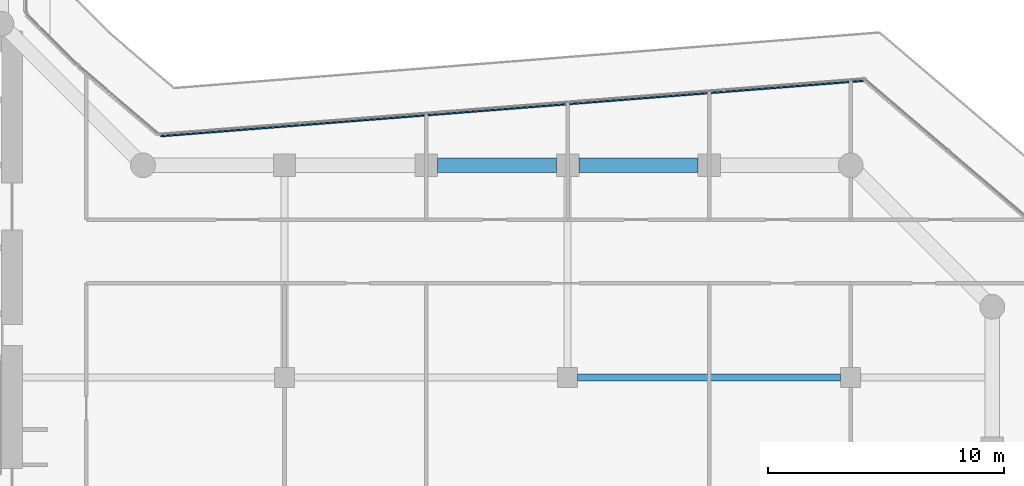
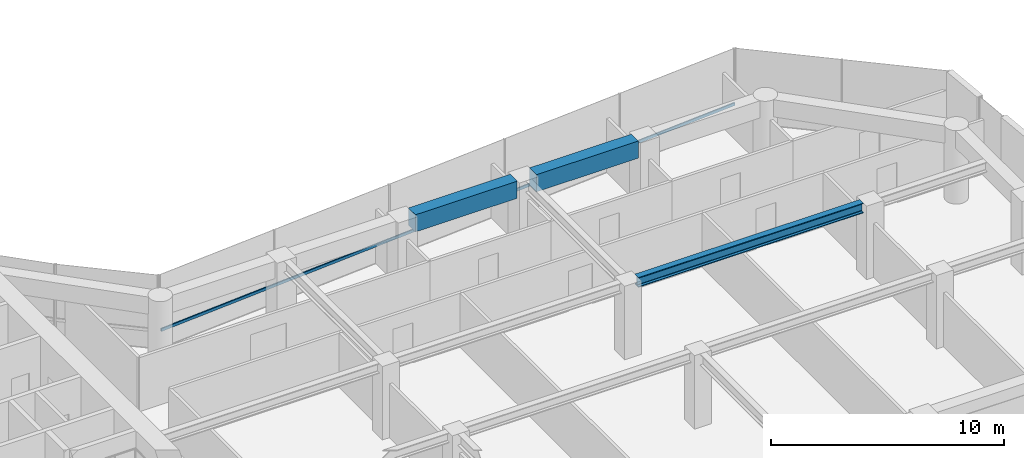
# One storey, part 10 of 28: 3 beams, 1 member, 1 element without a shape of its own.
"""IFC4 building model written with IfcOpenShell, lengths in metres."""

import ifcopenshell
import ifcopenshell.guid

model = None  # the IFC model being written
_history = None  # IfcOwnerHistory: only IFC2X3 demands one
_inside = {}  # id of a spatial element -> (the spatial element, [elements in it])
_under = {}  # id of a project, library or spatial element -> (it, [spatial elements below it])
_declared = {}  # id of a project -> (the project, [libraries it declares])
_typed = {}  # id of a type object -> (the type object, [elements of that type])
_made_of = {}  # id of a material, layer set ... -> (it, [elements and type objects made of it])


def new_model(schema):
    """Start an empty IFC model of exactly this schema.

    Asked for "IFC4X3", IfcOpenShell would pick the latest addendum, in which some entities
    have other attributes; the version numbers below select the first issue.
    IFC2X3 requires an IfcOwnerHistory on every rooted entity: one is made here for all.
    """
    global model, _history
    if schema == "IFC4X3":
        model = ifcopenshell.file(schema_version=(4, 3, 0, 0))
    else:
        model = ifcopenshell.file(schema=schema)
    _inside.clear()
    _under.clear()
    _declared.clear()
    _typed.clear()
    _made_of.clear()
    _history = None
    if model.schema == "IFC2X3":
        org = make("IfcOrganization", Name="unknown")
        user = make(
            "IfcPersonAndOrganization",
            ThePerson=make("IfcPerson", FamilyName="unknown"),
            TheOrganization=org,
        )
        app = make(
            "IfcApplication",
            ApplicationDeveloper=org,
            Version="unknown",
            ApplicationFullName="unknown",
            ApplicationIdentifier="unknown",
        )
        _history = make(
            "IfcOwnerHistory",
            OwningUser=user,
            OwningApplication=app,
            ChangeAction="ADDED",
            CreationDate=0,
        )
    return model


def make(cls, **values):
    """One entity of the class cls with the attributes given. An attribute that is None is left unset."""
    return model.create_entity(
        cls, **{name: value for name, value in values.items() if value is not None}
    )


def rooted(cls, **values):
    """An entity with a GlobalId (a new one), such as an element, a storey or a relation."""
    return make(cls, GlobalId=ifcopenshell.guid.new(), OwnerHistory=_history, **values)


def si_unit(unit_type, name, prefix=None):
    """IfcSIUnit, for example si_unit("LENGTHUNIT", "METRE", prefix="MILLI")."""
    return make("IfcSIUnit", UnitType=unit_type, Prefix=prefix, Name=name)


def assignment(units):
    """IfcUnitAssignment: the units of a project."""
    return None if units is None else make("IfcUnitAssignment", Units=units)


def point(xyz):
    """IfcCartesianPoint."""
    return None if xyz is None else make("IfcCartesianPoint", Coordinates=xyz)


def direction(xyz):
    """IfcDirection."""
    return None if xyz is None else make("IfcDirection", DirectionRatios=xyz)


def frame(location, z_axis=None, x_axis=None):
    """IfcAxis2Placement3D, a coordinate frame: its origin and axes. An axis left out is left unset."""
    return make(
        "IfcAxis2Placement3D",
        Location=point(location),
        Axis=direction(z_axis),
        RefDirection=direction(x_axis),
    )


def frame_2d(location, x_axis=None):
    """IfcAxis2Placement2D, a coordinate frame in the plane: its origin and x axis."""
    return make(
        "IfcAxis2Placement2D", Location=point(location), RefDirection=direction(x_axis)
    )


def origin():
    """The frame at (0, 0, 0) with its axes left unset."""
    return frame((0.0, 0.0, 0.0))


def origin_2d():
    """The frame at (0, 0) in the plane with its x axis left unset."""
    return frame_2d((0.0, 0.0))


def place(relative_to, where):
    """IfcLocalPlacement: puts the frame where relative to a parent placement (None: the world)."""
    return make(
        "IfcLocalPlacement", PlacementRelTo=relative_to, RelativePlacement=where
    )


def context(
    kind, dimensions, precision=None, world=None, true_north=None, identifier=None
):
    """IfcGeometricRepresentationContext, for example the 3D "Model" context."""
    return make(
        "IfcGeometricRepresentationContext",
        ContextIdentifier=identifier,
        ContextType=kind,
        CoordinateSpaceDimension=dimensions,
        Precision=precision,
        WorldCoordinateSystem=world,
        TrueNorth=true_north,
    )


def subcontext(parent, identifier, kind, view, scale=None):
    """IfcGeometricRepresentationSubContext, for example "Body" below "Model"."""
    return make(
        "IfcGeometricRepresentationSubContext",
        ContextIdentifier=identifier,
        ContextType=kind,
        ParentContext=parent,
        TargetScale=scale,
        TargetView=view,
    )


def project(units=None, contexts=None):
    """IfcProject with its units and contexts."""
    return rooted(
        "IfcProject",
        Name="project",
        RepresentationContexts=contexts,
        UnitsInContext=assignment(units),
    )


def spatial(cls, under=None, at=None, **own):
    """A site, building, storey or space (cls), placed at a placement, below another one or the project."""
    s = rooted(cls, ObjectPlacement=at, **own)
    if under is not None:
        _under.setdefault(under.id(), (under, []))[1].append(s)
    return s


def profile(cls, at=None, kind="AREA", **sizes):
    """A parametric profile (cls). Its sizes go by their IFC names, for example OverallWidth=200.0."""
    return make(cls, ProfileType=kind, Position=at, **sizes)


def rectangle(**sizes):
    """IfcRectangleProfileDef."""
    return profile("IfcRectangleProfileDef", **sizes)


def i_section(**sizes):
    """IfcIShapeProfileDef."""
    return profile("IfcIShapeProfileDef", **sizes)


def extrude(swept, where, along, depth):
    """IfcExtrudedAreaSolid: the profile swept, set in the frame where, extruded along a direction by depth."""
    return make(
        "IfcExtrudedAreaSolid",
        SweptArea=swept,
        Position=where,
        ExtrudedDirection=direction(along),
        Depth=depth,
    )


def shape(context_of_items, identifier, shape_type, items):
    """IfcShapeRepresentation: the items that make up one representation, for example the "Body"."""
    return make(
        "IfcShapeRepresentation",
        ContextOfItems=context_of_items,
        RepresentationIdentifier=identifier,
        RepresentationType=shape_type,
        Items=items,
    )


def material(Name=None, Category=None):
    """IfcMaterial."""
    return make("IfcMaterial", Name=Name, Category=Category)


def layer(
    of_material, thickness, ventilated=None, Name=None, Category=None, Priority=None
):
    """IfcMaterialLayer: one layer of a wall or slab, of a material (None: an air gap)."""
    return make(
        "IfcMaterialLayer",
        Material=of_material,
        LayerThickness=thickness,
        IsVentilated=ventilated,
        Name=Name,
        Category=Category,
        Priority=Priority,
    )


def layer_set(layers, Name=None):
    """IfcMaterialLayerSet."""
    return make("IfcMaterialLayerSet", MaterialLayers=layers, LayerSetName=Name)


def material_profile(
    of_material, cross_section, Name=None, Category=None, Priority=None
):
    """IfcMaterialProfile: a cross section and its material."""
    return make(
        "IfcMaterialProfile",
        Name=Name,
        Material=of_material,
        Profile=cross_section,
        Priority=Priority,
        Category=Category,
    )


def profile_set(profiles, Name=None, composite=None):
    """IfcMaterialProfileSet."""
    return make(
        "IfcMaterialProfileSet",
        Name=Name,
        MaterialProfiles=profiles,
        CompositeProfile=composite,
    )


def made_of(thing, what):
    """Note that an element or type object is made of a material, layer set ...; save() writes the relation."""
    if what is not None:
        _made_of.setdefault(what.id(), (what, []))[1].append(thing)
    return thing


def type_object(cls, material=None, **own):
    """A type object (cls), such as IfcWallType, which elements share."""
    return made_of(rooted(cls, **own), material)


def element(
    cls,
    number,
    at=None,
    inside=None,
    cuts=None,
    type_object=None,
    material=None,
    context=None,
    identifier="Body",
    shape_type=None,
    held_by="IfcProductDefinitionShape",
    body=None,
    shapes=None,
    **own,
):
    """One element of the class cls, such as IfcWall. Its Tag is "e" and its number.

    at: its placement. inside: the storey or other place that contains it. cuts: it is an
    opening in that element (IfcRelVoidsElement). A single representation is given by context,
    identifier, shape_type and body (its items); several are given by shapes. held_by: the class
    of the entity that holds the representations. save() writes the other relations.
    """
    e = rooted(cls, Tag="e%d" % number, ObjectPlacement=at, **own)
    if body is not None:
        shapes = [shape(context, identifier, shape_type, body)]
    if shapes is not None:
        e.Representation = make(held_by, Representations=shapes)
    if inside is not None:
        _inside.setdefault(inside.id(), (inside, []))[1].append(e)
    if cuts is not None:
        rooted(
            "IfcRelVoidsElement", RelatingBuildingElement=cuts, RelatedOpeningElement=e
        )
    if type_object is not None:
        _typed.setdefault(type_object.id(), (type_object, []))[1].append(e)
    return made_of(e, material)


def aggregate(whole, parts):
    """IfcRelAggregates: a whole, such as a stair, and the parts it consists of."""
    return rooted("IfcRelAggregates", RelatingObject=whole, RelatedObjects=parts)


def save(model, path):
    """Write the relations noted so far, then the file.

    IfcRelAggregates (storeys below a building ...), IfcRelContainedInSpatialStructure (elements
    in a storey), IfcRelDefinesByType, IfcRelAssociatesMaterial and IfcRelDeclares: one each for
    every whole, place, type object, material and project.
    """
    for whole, parts in _under.values():
        aggregate(whole, parts)
    for where, things in _inside.values():
        rooted(
            "IfcRelContainedInSpatialStructure",
            RelatedElements=things,
            RelatingStructure=where,
        )
    for kind, things in _typed.values():
        rooted("IfcRelDefinesByType", RelatedObjects=things, RelatingType=kind)
    for what, things in _made_of.values():
        rooted("IfcRelAssociatesMaterial", RelatedObjects=things, RelatingMaterial=what)
    for by, libraries in _declared.values():
        rooted("IfcRelDeclares", RelatingContext=by, RelatedDefinitions=libraries)
    model.write(path)


model = new_model("IFC4")

# Units and contexts
model_context = context("Model", 3, precision=1e-05, world=origin(), true_north=direction((0.0, 1.0)))
body_context = subcontext(model_context, "Body", "Model", "MODEL_VIEW")
ifc_project = project(units=[si_unit("LENGTHUNIT", "METRE"), si_unit("AREAUNIT", "SQUARE_METRE"), si_unit("VOLUMEUNIT", "CUBIC_METRE"), si_unit("PLANEANGLEUNIT", "RADIAN"), si_unit("MASSUNIT", "GRAM", prefix="KILO")], contexts=[model_context])

# Site, building, storey
site_placement = place(None, origin())
site = spatial("IfcSite", under=ifc_project, at=site_placement, CompositionType="ELEMENT")
building_placement = place(site_placement, origin())
building = spatial("IfcBuilding", under=site, at=building_placement, Name="Welwitschia Terrace Campus", CompositionType="ELEMENT")
storey_placement = place(building_placement, frame((0.0, 0.0, 71.0)))
storey = spatial("IfcBuildingStorey", under=building, at=storey_placement, Name="L16", CompositionType="ELEMENT", Elevation=71.0)

# Beams
ifc_material_1 = material(Name="Steel S355", Category="steel")
ifc_material_profile_1 = material_profile(ifc_material_1, i_section(OverallWidth=0.305908203125, OverallDepth=0.52392578125, WebThickness=0.02099609375, FlangeThickness=0.0400390625, FilletRadius=0.027099609375, at=origin_2d()))
ifc_profile_set_1 = profile_set([ifc_material_profile_1], Name="Steel S355")
beam_type_1 = type_object("IfcBeamType", Name="Interior girder HE 500 M", PredefinedType="BEAM", material=ifc_profile_set_1)
beam_placement = place(storey_placement, frame((48.425537109375, 11.0, 3.587890625), z_axis=(1.0, 0.0, 0.0), x_axis=(0.0, 1.0, 0.0)))
element("IfcBeam", 1, at=beam_placement, inside=storey, type_object=beam_type_1, Name="Girder GB2", PredefinedType="BEAM", context=body_context, shape_type="SweptSolid", body=[
    extrude(i_section(OverallWidth=0.305908203125, OverallDepth=0.52392578125, WebThickness=0.02099609375, FlangeThickness=0.0400390625, FilletRadius=0.027099609375, at=origin_2d()), origin(), (0.0, 0.0, 1.0), 11.14892578125),
])
ifc_material_2 = material(Name="Concrete C60/75", Category="concrete")
ifc_material_profile_2 = material_profile(ifc_material_2, rectangle(XDim=0.60009765625, YDim=0.89990234375, at=origin_2d()))
ifc_profile_set_2 = profile_set([ifc_material_profile_2], Name="Concrete C60/75")
beam_type_2 = type_object("IfcBeamType", Name="Ring spandrel 600x900", PredefinedType="SPANDREL", material=ifc_profile_set_2)
for number, where, z_axis, x_axis, name in (
    (2, (53.5244140625, 20.0, 3.39990234375), (-1.0, 0.0, 0.0), (0.0, -1.0, 0.0), "Spandrel SP2"),
    (3, (47.5244140625, 20.0, 3.39990234375), (-1.0, 0.0, 0.0), (0.0, -1.0, 0.0), "Spandrel SP2"),
):
    element("IfcBeam", number, at=place(storey_placement, frame(where, z_axis=z_axis, x_axis=x_axis)), inside=storey, type_object=beam_type_2, Name=name, PredefinedType="SPANDREL", context=body_context, shape_type="SweptSolid", body=[
        extrude(rectangle(XDim=0.60009765625, YDim=0.89990234375, at=origin_2d()), origin(), (0.0, 0.0, 1.0), 5.048828125),
    ])

# Curtain wall, member
ifc_material_3 = material(Name="Bronze anodised aluminium", Category="aluminium")
ifc_layer = layer(ifc_material_3, 0.1201171875)
ifc_layer_set = layer_set([ifc_layer], Name="Bronze anodised aluminium")
curtain_wall_type = type_object("IfcCurtainWallType", Name="Curtain wall CW2 tower 6000", PredefinedType="NOTDEFINED", material=ifc_layer_set)
curtain_wall_placement = place(storey_placement, origin())
curtain_wall = element("IfcCurtainWall", 4, at=curtain_wall_placement, inside=storey, type_object=curtain_wall_type, Name="CW L16.11.0", PredefinedType="NOTDEFINED")
ifc_material_4 = material(Name="Bronze anodised aluminium", Category="aluminium")
ifc_material_profile_3 = material_profile(ifc_material_4, rectangle(XDim=0.06005859375, YDim=0.14990234375, at=origin_2d()))
ifc_profile_set_3 = profile_set([ifc_material_profile_3], Name="Bronze anodised aluminium")
member_type = type_object("IfcMemberType", Name="Transom 60x150", PredefinedType="USERDEFINED", material=ifc_profile_set_3)
member_placement = place(storey_placement, frame((60.536376953125, 23.575927734375, 1.0), z_axis=(-0.996917636624, -0.078455247042, 0.0), x_axis=(0.078455247042, -0.996917636624, 0.0)))
member = element("IfcMember", 5, at=member_placement, type_object=member_type, Name="Transom L16.11.0", ObjectType="TRANSOM", PredefinedType="USERDEFINED", context=body_context, shape_type="SweptSolid", body=[
    extrude(rectangle(XDim=0.06005859375, YDim=0.14990234375, at=origin_2d()), origin(), (0.0, 0.0, 1.0), 29.8798828125),
])
aggregate(curtain_wall, [member])

save(model, "model.ifc")
